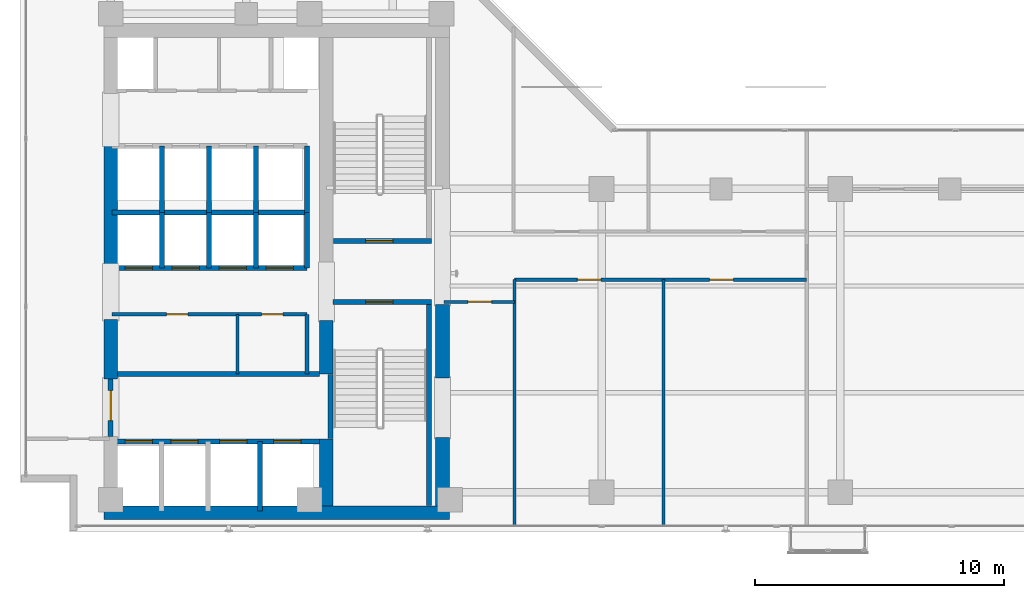
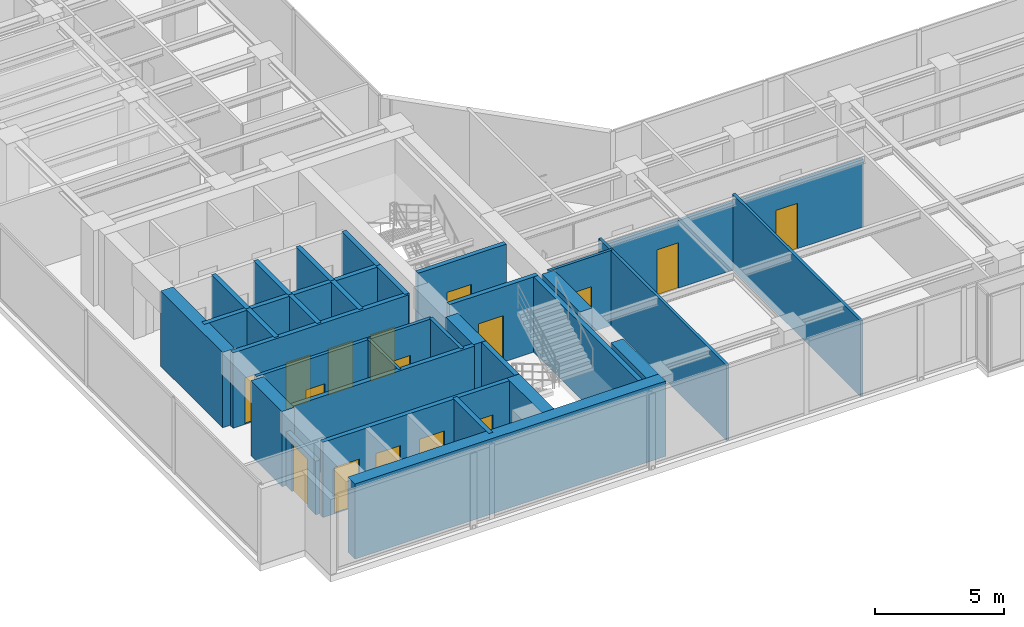
# One storey, part 17 of 25: 32 walls, 16 doors, 16 openings.
"""IFC4 building model written with IfcOpenShell, lengths in metres."""

from ifc_helpers import new_model, si_unit, direction, frame, frame_2d, origin, place, context, subcontext, project, spatial, rectangle, extrude, material, layer, layer_set, type_object, element, fill, save


model = new_model("IFC4")

# Units and contexts
model_context = context("Model", 3, precision=1e-05, world=origin(), true_north=direction((0.0, 1.0)))
body_context = subcontext(model_context, "Body", "Model", "MODEL_VIEW")
ifc_project = project(units=[si_unit("LENGTHUNIT", "METRE"), si_unit("AREAUNIT", "SQUARE_METRE"), si_unit("VOLUMEUNIT", "CUBIC_METRE"), si_unit("PLANEANGLEUNIT", "RADIAN"), si_unit("MASSUNIT", "GRAM", prefix="KILO")], contexts=[model_context])

# Site, building, storey
site_placement = place(None, origin())
site = spatial("IfcSite", under=ifc_project, at=site_placement, CompositionType="ELEMENT")
building_placement = place(site_placement, origin())
building = spatial("IfcBuilding", under=site, at=building_placement, Name="Kolvaren Waterfront Exchange", CompositionType="ELEMENT")
storey_placement = place(building_placement, frame((0.0, 0.0, 223.5)))
storey = spatial("IfcBuildingStorey", under=building, at=storey_placement, Name="L57", CompositionType="ELEMENT", Elevation=223.5)

# Wall, opening, door
ifc_material_1 = material(Name="Precast concrete C40/50", Category="concrete")
ifc_layer_1 = layer(ifc_material_1, 0.199951171875, Name="Precast concrete C40/50")
ifc_layer_set_1 = layer_set([ifc_layer_1], Name="Precast concrete C40/50")
wall_type_1 = type_object("IfcWallType", Name="ARC-FIRE-200", PredefinedType="PARTITIONING", material=ifc_layer_set_1)
wall_1_placement = place(storey_placement, frame((16.39990234375, 12.85009765625, 0.0), z_axis=(0.0, 0.0, 1.0), x_axis=(1.0, 0.0, 0.0)))
wall_1 = element("IfcWall", 1, at=wall_1_placement, inside=storey, type_object=wall_type_1, Name="L57 interior wall PW-L57-ST1-THROAT-S", PredefinedType="PARTITIONING", context=body_context, shape_type="SweptSolid", body=[
    extrude(rectangle(XDim=3.960205078125, YDim=0.199951171875, at=frame_2d((1.97998046875, 0.0))), origin(), (0.0, 0.0, 1.0), 3.56005859375),
])
opening_1_placement = place(wall_1_placement, frame((1.3037109375, 0.0, 0.0)))
opening_1 = element("IfcOpeningElement", 2, at=opening_1_placement, cuts=wall_1, Name="Opening FD2", PredefinedType="OPENING", context=body_context, shape_type="SweptSolid", body=[
    extrude(rectangle(XDim=1.10009765625, YDim=2.199951171875, at=frame_2d((0.550048828125, 1.10009765625))), frame((0.0, 0.10986328125, 0.0), z_axis=(0.0, -1.0, 0.0), x_axis=(1.0, 0.0, 0.0)), (0.0, 0.0, 1.0), 0.219970703125),
])
ifc_material_2 = material(Name="Pressed steel smoke-seal fire door", Category="steel")
door_type_1 = type_object("IfcDoorType", Name="ARC-FD-1100", OperationType="NOTDEFINED", PredefinedType="DOOR", material=ifc_material_2)
door_1_placement = place(opening_1_placement, frame((1.10009765625, 0.0, 0.0), z_axis=(0.0, 0.0, 1.0), x_axis=(-1.0, 0.0, 0.0)))
door_1 = element("IfcDoor", 3, at=door_1_placement, inside=storey, type_object=door_type_1, Name="L57 door DR-L57-ST1-IN (FD2)", OperationType="SINGLE_SWING_RIGHT", OverallHeight=2.199951171875, OverallWidth=1.10009765625, PredefinedType="DOOR", context=body_context, shape_type="SweptSolid", body=[
    extrude(rectangle(XDim=1.10009765625, YDim=2.199951171875, at=frame_2d((0.550048828125, 1.10009765625))), frame((0.0, 0.02490234375, 0.0), z_axis=(0.0, -1.0, 0.0), x_axis=(1.0, 0.0, 0.0)), (0.0, 0.0, 1.0), 0.050048828125),
])
fill(opening_1, door_1)

wall_2_placement = place(storey_placement, frame((16.409912109375, 15.300048828125, 0.0), z_axis=(0.0, 0.0, 1.0), x_axis=(1.0, 0.0, 0.0)))
wall_2 = element("IfcWall", 4, at=wall_2_placement, inside=storey, type_object=wall_type_1, Name="L57 interior wall PW-L57-ST2-THROAT-N", PredefinedType="PARTITIONING", context=body_context, shape_type="SweptSolid", body=[
    extrude(rectangle(XDim=3.9501953125, YDim=0.199951171875, at=frame_2d((1.97509765625, 0.0))), origin(), (0.0, 0.0, 1.0), 3.56005859375),
])
opening_2_placement = place(wall_2_placement, frame((1.293701171875, 0.0, 0.0)))
opening_2 = element("IfcOpeningElement", 5, at=opening_2_placement, cuts=wall_2, Name="Opening FD2", PredefinedType="OPENING", context=body_context, shape_type="SweptSolid", body=[
    extrude(rectangle(XDim=1.10009765625, YDim=2.199951171875, at=frame_2d((0.550048828125, 1.10009765625))), frame((0.0, 0.10986328125, 0.0), z_axis=(0.0, -1.0, 0.0), x_axis=(1.0, 0.0, 0.0)), (0.0, 0.0, 1.0), 0.219970703125),
])
door_2_placement = place(opening_2_placement, origin())
door_2 = element("IfcDoor", 6, at=door_2_placement, inside=storey, type_object=door_type_1, Name="L57 door DR-L57-ST2-IN (FD2)", OperationType="SINGLE_SWING_LEFT", OverallHeight=2.199951171875, OverallWidth=1.10009765625, PredefinedType="DOOR", context=body_context, shape_type="SweptSolid", body=[
    extrude(rectangle(XDim=1.10009765625, YDim=2.199951171875, at=frame_2d((0.550048828125, 1.10009765625))), frame((0.0, 0.02490234375, 0.0), z_axis=(0.0, -1.0, 0.0), x_axis=(1.0, 0.0, 0.0)), (0.0, 0.0, 1.0), 0.050048828125),
])
fill(opening_2, door_2)

# Wall
wall_3_placement = place(storey_placement, frame((7.5, 9.949951171875, 0.0), z_axis=(0.0, 0.0, 1.0), x_axis=(1.0, 0.0, 0.0)))
element("IfcWall", 7, at=wall_3_placement, inside=storey, type_object=wall_type_1, Name="L57 interior wall PW-L57-FF-N", PredefinedType="PARTITIONING", context=body_context, shape_type="SweptSolid", body=[
    extrude(rectangle(XDim=8.35009765625, YDim=0.199951171875, at=frame_2d((4.175048828125, 0.0))), origin(), (0.0, 0.0, 1.0), 3.56005859375),
])

# Wall, opening, door
wall_4_placement = place(storey_placement, frame((7.449951171875, 7.449951171875, 0.0), z_axis=(0.0, 0.0, 1.0), x_axis=(0.0, 1.0, 0.0)))
wall_4 = element("IfcWall", 8, at=wall_4_placement, inside=storey, type_object=wall_type_1, Name="L57 interior wall PW-L57-FF-W-DOOR", PredefinedType="PARTITIONING", context=body_context, shape_type="SweptSolid", body=[
    extrude(rectangle(XDim=2.300048828125, YDim=0.199951171875, at=frame_2d((1.14990234375, 0.0))), origin(), (0.0, 0.0, 1.0), 2.5400390625),
])
opening_3_placement = place(wall_4_placement, frame((0.63330078125, 0.0, 0.0)))
opening_3 = element("IfcOpeningElement", 9, at=opening_3_placement, cuts=wall_4, Name="Opening FD3", PredefinedType="OPENING", context=body_context, shape_type="SweptSolid", body=[
    extrude(rectangle(XDim=1.199951171875, YDim=2.25, at=frame_2d((0.60009765625, 1.125))), frame((0.0, 0.10986328125, 0.0), z_axis=(0.0, -1.0, 0.0), x_axis=(1.0, 0.0, 0.0)), (0.0, 0.0, 1.0), 0.219970703125),
])
ifc_material_3 = material(Name="Pressed steel fire door", Category="steel")
door_type_2 = type_object("IfcDoorType", Name="ARC-FD-1200", OperationType="NOTDEFINED", PredefinedType="DOOR", material=ifc_material_3)
door_3_placement = place(opening_3_placement, frame((1.199951171875, 0.0, 0.0), z_axis=(0.0, 0.0, 1.0), x_axis=(-1.0, 0.0, 0.0)))
door_3 = element("IfcDoor", 10, at=door_3_placement, inside=storey, type_object=door_type_2, Name="L57 door DR-L57-FF-OUT (FD3)", OperationType="SINGLE_SWING_RIGHT", OverallHeight=2.25, OverallWidth=1.199951171875, PredefinedType="DOOR", context=body_context, shape_type="SweptSolid", body=[
    extrude(rectangle(XDim=1.199951171875, YDim=2.25, at=frame_2d((0.60009765625, 1.125))), frame((0.0, 0.02490234375, 0.0), z_axis=(0.0, -1.0, 0.0), x_axis=(1.0, 0.0, 0.0)), (0.0, 0.0, 1.0), 0.050048828125),
])
fill(opening_3, door_3)

# Wall
ifc_material_4 = material(Name="Acoustic gypsum steel stud", Category="steel")
ifc_layer_2 = layer(ifc_material_4, 0.125, Name="Acoustic gypsum steel stud")
ifc_layer_set_2 = layer_set([ifc_layer_2], Name="Acoustic gypsum steel stud")
wall_type_2 = type_object("IfcWallType", Name="ARC-PART-125", PredefinedType="PARTITIONING", material=ifc_layer_set_2)
wall_5_placement = place(storey_placement, frame((12.550048828125, 9.949951171875, 0.0), z_axis=(0.0, 0.0, 1.0), x_axis=(0.0, 1.0, 0.0)))
element("IfcWall", 11, at=wall_5_placement, inside=storey, type_object=wall_type_2, Name="L57 interior wall PW-L57-REC-PL-MID", PredefinedType="PARTITIONING", context=body_context, shape_type="SweptSolid", body=[
    extrude(rectangle(XDim=2.41015625, YDim=0.125, at=frame_2d((1.205078125, 0.0))), origin(), (0.0, 0.0, 1.0), 3.56005859375),
])

# Wall, opening, door
wall_6_placement = place(storey_placement, frame((20.85009765625, 12.860107421875, 0.0), z_axis=(0.0, 0.0, 1.0), x_axis=(1.0, 0.0, 0.0)))
wall_6 = element("IfcWall", 12, at=wall_6_placement, inside=storey, type_object=wall_type_2, Name="L57 interior wall PW-L57-SWST3-N", PredefinedType="PARTITIONING", context=body_context, shape_type="SweptSolid", body=[
    extrude(rectangle(XDim=2.849853515625, YDim=0.125, at=frame_2d((1.4248046875, 0.0))), origin(), (0.0, 0.0, 1.0), 3.56005859375),
])
opening_4_placement = place(wall_6_placement, frame((0.971435546875, 0.0, 0.0)))
opening_4 = element("IfcOpeningElement", 13, at=opening_4_placement, cuts=wall_6, Name="Opening D02", PredefinedType="OPENING", context=body_context, shape_type="SweptSolid", body=[
    extrude(rectangle(XDim=0.949951171875, YDim=2.14990234375, at=frame_2d((0.47509765625, 1.074951171875))), frame((0.0, 0.072509765625, 0.0), z_axis=(0.0, -1.0, 0.0), x_axis=(1.0, 0.0, 0.0)), (0.0, 0.0, 1.0), 0.14501953125),
])
ifc_material_5 = material(Name="Oak veneer acoustic timber", Category="wood")
door_type_3 = type_object("IfcDoorType", Name="ARC-DR-950", OperationType="NOTDEFINED", PredefinedType="DOOR", material=ifc_material_5)
door_4_placement = place(opening_4_placement, origin())
door_4 = element("IfcDoor", 14, at=door_4_placement, inside=storey, type_object=door_type_3, Name="L57 door DR-L57-SWST3-D (D02)", OperationType="SINGLE_SWING_LEFT", OverallHeight=2.14990234375, OverallWidth=0.949951171875, PredefinedType="DOOR", context=body_context, shape_type="SweptSolid", body=[
    extrude(rectangle(XDim=0.949951171875, YDim=2.14990234375, at=frame_2d((0.47509765625, 1.074951171875))), frame((0.0, 0.02490234375, 0.0), z_axis=(0.0, -1.0, 0.0), x_axis=(1.0, 0.0, 0.0)), (0.0, 0.0, 1.0), 0.050048828125),
])
fill(opening_4, door_4)

# Wall
wall_7_placement = place(storey_placement, frame((23.699951171875, 3.840087890625, 0.0), z_axis=(0.0, 0.0, 1.0), x_axis=(0.0, 1.0, 0.0)))
element("IfcWall", 15, at=wall_7_placement, inside=storey, type_object=wall_type_2, Name="L57 interior wall PW-L57-ES-W0", PredefinedType="PARTITIONING", context=body_context, shape_type="SweptSolid", body=[
    extrude(rectangle(XDim=9.909912109375, YDim=0.125, at=frame_2d((4.955078125, 0.0))), origin(), (0.0, 0.0, 1.0), 3.56005859375),
])

# Wall, openings, doors
wall_8_placement = place(storey_placement, frame((23.699951171875, 13.75, 0.0), z_axis=(0.0, 0.0, 1.0), x_axis=(1.0, 0.0, 0.0)))
wall_8 = element("IfcWall", 16, at=wall_8_placement, inside=storey, type_object=wall_type_2, Name="L57 interior wall PW-L57-ES-CORR", PredefinedType="PARTITIONING", context=body_context, shape_type="SweptSolid", body=[
    extrude(rectangle(XDim=11.75, YDim=0.125, at=frame_2d((5.875, 0.0))), origin(), (0.0, 0.0, 1.0), 3.199951171875),
])
opening_5_placement = place(wall_8_placement, frame((2.52001953125, 0.0, 0.0)))
opening_5 = element("IfcOpeningElement", 17, at=opening_5_placement, cuts=wall_8, Name="Opening D02", PredefinedType="OPENING", context=body_context, shape_type="SweptSolid", body=[
    extrude(rectangle(XDim=0.949951171875, YDim=2.14990234375, at=frame_2d((0.47509765625, 1.074951171875))), frame((0.0, 0.072509765625, 0.0), z_axis=(0.0, -1.0, 0.0), x_axis=(1.0, 0.0, 0.0)), (0.0, 0.0, 1.0), 0.14501953125),
])
opening_6_placement = place(wall_8_placement, frame((7.84716796875, 0.0, 0.0)))
opening_6 = element("IfcOpeningElement", 18, at=opening_6_placement, cuts=wall_8, Name="Opening D02", PredefinedType="OPENING", context=body_context, shape_type="SweptSolid", body=[
    extrude(rectangle(XDim=0.949951171875, YDim=2.14990234375, at=frame_2d((0.47509765625, 1.074951171875))), frame((0.0, 0.072509765625, 0.0), z_axis=(0.0, -1.0, 0.0), x_axis=(1.0, 0.0, 0.0)), (0.0, 0.0, 1.0), 0.14501953125),
])
door_5_placement = place(opening_5_placement, origin())
door_5 = element("IfcDoor", 19, at=door_5_placement, inside=storey, type_object=door_type_3, Name="L57 door DR-L57-ES-D-1 (D02)", OperationType="SINGLE_SWING_RIGHT", OverallHeight=2.14990234375, OverallWidth=0.949951171875, PredefinedType="DOOR", context=body_context, shape_type="SweptSolid", body=[
    extrude(rectangle(XDim=0.949951171875, YDim=2.14990234375, at=frame_2d((0.47509765625, 1.074951171875))), frame((0.0, 0.02490234375, 0.0), z_axis=(0.0, -1.0, 0.0), x_axis=(1.0, 0.0, 0.0)), (0.0, 0.0, 1.0), 0.050048828125),
])
fill(opening_5, door_5)
door_6_placement = place(opening_6_placement, origin())
door_6 = element("IfcDoor", 20, at=door_6_placement, inside=storey, type_object=door_type_3, Name="L57 door DR-L57-ES-D-2 (D02)", OperationType="SINGLE_SWING_LEFT", OverallHeight=2.14990234375, OverallWidth=0.949951171875, PredefinedType="DOOR", context=body_context, shape_type="SweptSolid", body=[
    extrude(rectangle(XDim=0.949951171875, YDim=2.14990234375, at=frame_2d((0.47509765625, 1.074951171875))), frame((0.0, 0.02490234375, 0.0), z_axis=(0.0, -1.0, 0.0), x_axis=(1.0, 0.0, 0.0)), (0.0, 0.0, 1.0), 0.050048828125),
])
fill(opening_6, door_6)

# Wall
wall_9_placement = place(storey_placement, frame((29.68994140625, 3.840087890625, 0.0), z_axis=(0.0, 0.0, 1.0), x_axis=(0.0, 1.0, 0.0)))
element("IfcWall", 21, at=wall_9_placement, inside=storey, type_object=wall_type_2, Name="L57 interior wall PW-L57-ES-DIV-1", PredefinedType="PARTITIONING", context=body_context, shape_type="SweptSolid", body=[
    extrude(rectangle(XDim=9.909912109375, YDim=0.125, at=frame_2d((4.955078125, 0.0))), origin(), (0.0, 0.0, 1.0), 3.56005859375),
])

# Wall, openings, doors
ifc_material_6 = material(Name="Gypsum fireboard steel stud", Category="steel")
ifc_layer_3 = layer(ifc_material_6, 0.14990234375, Name="Gypsum fireboard steel stud")
ifc_layer_set_3 = layer_set([ifc_layer_3], Name="Gypsum fireboard steel stud")
wall_type_3 = type_object("IfcWallType", Name="ARC-PART-150", PredefinedType="PARTITIONING", material=ifc_layer_set_3)
wall_10_placement = place(storey_placement, frame((7.5, 12.360107421875, 0.0), z_axis=(0.0, 0.0, 1.0), x_axis=(1.0, 0.0, 0.0)))
wall_10 = element("IfcWall", 22, at=wall_10_placement, inside=storey, type_object=wall_type_3, Name="L57 interior wall PW-L57-REC-PL-N", PredefinedType="PARTITIONING", context=body_context, shape_type="SweptSolid", body=[
    extrude(rectangle(XDim=7.85009765625, YDim=0.14990234375, at=frame_2d((3.925048828125, 0.0))), origin(), (0.0, 0.0, 1.0), 3.56005859375),
])
opening_7_placement = place(wall_10_placement, frame((2.202392578125, 0.0, 0.0)))
opening_7 = element("IfcOpeningElement", 23, at=opening_7_placement, cuts=wall_10, Name="Opening D01", PredefinedType="OPENING", context=body_context, shape_type="SweptSolid", body=[
    extrude(rectangle(XDim=0.85009765625, YDim=2.14990234375, at=frame_2d((0.425048828125, 1.074951171875))), frame((0.0, 0.0849609375, 0.0), z_axis=(0.0, -1.0, 0.0), x_axis=(1.0, 0.0, 0.0)), (0.0, 0.0, 1.0), 0.169921875),
])
opening_8_placement = place(wall_10_placement, frame((6.02490234375, 0.0, 0.0)))
opening_8 = element("IfcOpeningElement", 24, at=opening_8_placement, cuts=wall_10, Name="Opening D01", PredefinedType="OPENING", context=body_context, shape_type="SweptSolid", body=[
    extrude(rectangle(XDim=0.85009765625, YDim=2.14990234375, at=frame_2d((0.425048828125, 1.074951171875))), frame((0.0, 0.0849609375, 0.0), z_axis=(0.0, -1.0, 0.0), x_axis=(1.0, 0.0, 0.0)), (0.0, 0.0, 1.0), 0.169921875),
])
ifc_material_7 = material(Name="Oak veneer timber leaf", Category="wood")
door_type_4 = type_object("IfcDoorType", Name="ARC-DR-900", OperationType="NOTDEFINED", PredefinedType="DOOR", material=ifc_material_7)
door_7_placement = place(opening_7_placement, origin())
door_7 = element("IfcDoor", 25, at=door_7_placement, inside=storey, type_object=door_type_4, Name="L57 door DR-L57-REC-PL-D1 (D01)", OperationType="SINGLE_SWING_LEFT", OverallHeight=2.14990234375, OverallWidth=0.85009765625, PredefinedType="DOOR", context=body_context, shape_type="SweptSolid", body=[
    extrude(rectangle(XDim=0.85009765625, YDim=2.14990234375, at=frame_2d((0.425048828125, 1.074951171875))), frame((0.0, 0.02490234375, 0.0), z_axis=(0.0, -1.0, 0.0), x_axis=(1.0, 0.0, 0.0)), (0.0, 0.0, 1.0), 0.050048828125),
])
fill(opening_7, door_7)
door_8_placement = place(opening_8_placement, origin())
door_8 = element("IfcDoor", 26, at=door_8_placement, inside=storey, type_object=door_type_4, Name="L57 door DR-L57-REC-PL-D2 (D01)", OperationType="SINGLE_SWING_RIGHT", OverallHeight=2.14990234375, OverallWidth=0.85009765625, PredefinedType="DOOR", context=body_context, shape_type="SweptSolid", body=[
    extrude(rectangle(XDim=0.85009765625, YDim=2.14990234375, at=frame_2d((0.425048828125, 1.074951171875))), frame((0.0, 0.02490234375, 0.0), z_axis=(0.0, -1.0, 0.0), x_axis=(1.0, 0.0, 0.0)), (0.0, 0.0, 1.0), 0.050048828125),
])
fill(opening_8, door_8)

# Walls
wall_11_placement = place(storey_placement, frame((15.35009765625, 9.949951171875, 0.0), z_axis=(0.0, 0.0, 1.0), x_axis=(0.0, 1.0, 0.0)))
element("IfcWall", 27, at=wall_11_placement, inside=storey, type_object=wall_type_3, Name="L57 interior wall PW-L57-REC-PL-E", PredefinedType="PARTITIONING", context=body_context, shape_type="SweptSolid", body=[
    extrude(rectangle(XDim=2.41015625, YDim=0.14990234375, at=frame_2d((1.205078125, 0.0))), origin(), (0.0, 0.0, 1.0), 3.56005859375),
])
ifc_material_8 = material(Name="Concrete C40/50", Category="concrete")
ifc_layer_4 = layer(ifc_material_8, 0.199951171875, Name="Concrete C40/50")
ifc_layer_set_4 = layer_set([ifc_layer_4], Name="Concrete C40/50")
wall_type_4 = type_object("IfcWallType", Name="ARC-SHAFT-200", PredefinedType="PARTITIONING", material=ifc_layer_set_4)
wall_12_placement = place(storey_placement, frame((16.300048828125, 7.360107421875, 0.0), z_axis=(0.0, 0.0, 1.0), x_axis=(0.0, 1.0, 0.0)))
element("IfcWall", 28, at=wall_12_placement, inside=storey, type_object=wall_type_4, Name="L57 structural stairwell wall PW-L57-ST1-W", PredefinedType="SHEAR", context=body_context, shape_type="SweptSolid", body=[
    extrude(rectangle(XDim=2.579833984375, YDim=0.199951171875, at=frame_2d((1.2900390625, 0.0))), origin(), (0.0, 0.0, 1.0), 3.56005859375),
])
wall_13_placement = place(storey_placement, frame((20.260009765625, 4.659912109375, 0.0), z_axis=(0.0, 0.0, 1.0), x_axis=(0.0, 1.0, 0.0)))
element("IfcWall", 29, at=wall_13_placement, inside=storey, type_object=wall_type_4, Name="L57 structural stairwell wall PW-L57-ST1-E", PredefinedType="SHEAR", context=body_context, shape_type="SweptSolid", body=[
    extrude(rectangle(XDim=8.090087890625, YDim=0.199951171875, at=frame_2d((4.044921875, 0.0))), origin(), (0.0, 0.0, 1.0), 3.56005859375),
])

# Wall, openings, doors
wall_14_placement = place(storey_placement, frame((7.5, 7.25, 0.0), z_axis=(0.0, 0.0, 1.0), x_axis=(1.0, 0.0, 0.0)))
wall_14 = element("IfcWall", 30, at=wall_14_placement, inside=storey, type_object=wall_type_4, Name="L57 interior wall PW-L57-FF-S", PredefinedType="PARTITIONING", context=body_context, shape_type="SweptSolid", body=[
    extrude(rectangle(XDim=8.35009765625, YDim=0.199951171875, at=frame_2d((4.175048828125, 0.0))), origin(), (0.0, 0.0, 1.0), 3.56005859375),
])
opening_9_placement = place(wall_14_placement, frame((0.530029296875, 0.0, 0.0)))
opening_9 = element("IfcOpeningElement", 31, at=opening_9_placement, cuts=wall_14, Name="Opening LD1", PredefinedType="OPENING", context=body_context, shape_type="SweptSolid", body=[
    extrude(rectangle(XDim=1.10009765625, YDim=2.199951171875, at=frame_2d((0.550048828125, 1.10009765625))), frame((0.0, 0.10986328125, 0.0), z_axis=(0.0, -1.0, 0.0), x_axis=(1.0, 0.0, 0.0)), (0.0, 0.0, 1.0), 0.219970703125),
])
opening_10_placement = place(wall_14_placement, frame((2.3701171875, 0.0, 0.0)))
opening_10 = element("IfcOpeningElement", 32, at=opening_10_placement, cuts=wall_14, Name="Opening LD1", PredefinedType="OPENING", context=body_context, shape_type="SweptSolid", body=[
    extrude(rectangle(XDim=1.10009765625, YDim=2.199951171875, at=frame_2d((0.550048828125, 1.10009765625))), frame((0.0, 0.10986328125, 0.0), z_axis=(0.0, -1.0, 0.0), x_axis=(1.0, 0.0, 0.0)), (0.0, 0.0, 1.0), 0.219970703125),
])
opening_11_placement = place(wall_14_placement, frame((4.330078125, 0.0, 0.0)))
opening_11 = element("IfcOpeningElement", 33, at=opening_11_placement, cuts=wall_14, Name="Opening LD1", PredefinedType="OPENING", context=body_context, shape_type="SweptSolid", body=[
    extrude(rectangle(XDim=1.10009765625, YDim=2.199951171875, at=frame_2d((0.550048828125, 1.10009765625))), frame((0.0, 0.10986328125, 0.0), z_axis=(0.0, -1.0, 0.0), x_axis=(1.0, 0.0, 0.0)), (0.0, 0.0, 1.0), 0.219970703125),
])
opening_12_placement = place(wall_14_placement, frame((6.5, 0.0, 0.0)))
opening_12 = element("IfcOpeningElement", 34, at=opening_12_placement, cuts=wall_14, Name="Opening LD1", PredefinedType="OPENING", context=body_context, shape_type="SweptSolid", body=[
    extrude(rectangle(XDim=1.10009765625, YDim=2.199951171875, at=frame_2d((0.550048828125, 1.10009765625))), frame((0.0, 0.10986328125, 0.0), z_axis=(0.0, -1.0, 0.0), x_axis=(1.0, 0.0, 0.0)), (0.0, 0.0, 1.0), 0.219970703125),
])
ifc_material_9 = material(Name="Stainless steel sliding landing door", Category="steel")
door_type_5 = type_object("IfcDoorType", Name="ARC-LD-FF", OperationType="SLIDING_TO_LEFT", PredefinedType="DOOR", material=ifc_material_9)
door_9_placement = place(opening_9_placement, origin())
door_9 = element("IfcDoor", 35, at=door_9_placement, inside=storey, type_object=door_type_5, Name="L57 door LD-L57-FFL1 (LD1)", OperationType="SLIDING_TO_LEFT", OverallHeight=2.199951171875, OverallWidth=1.10009765625, PredefinedType="DOOR", context=body_context, shape_type="SweptSolid", body=[
    extrude(rectangle(XDim=1.10009765625, YDim=2.199951171875, at=frame_2d((0.550048828125, 1.10009765625))), frame((0.0, 0.02490234375, 0.0), z_axis=(0.0, -1.0, 0.0), x_axis=(1.0, 0.0, 0.0)), (0.0, 0.0, 1.0), 0.050048828125),
])
fill(opening_9, door_9)
door_10_placement = place(opening_10_placement, origin())
door_10 = element("IfcDoor", 36, at=door_10_placement, inside=storey, type_object=door_type_5, Name="L57 door LD-L57-FFL2 (LD1)", OperationType="SLIDING_TO_LEFT", OverallHeight=2.199951171875, OverallWidth=1.10009765625, PredefinedType="DOOR", context=body_context, shape_type="SweptSolid", body=[
    extrude(rectangle(XDim=1.10009765625, YDim=2.199951171875, at=frame_2d((0.550048828125, 1.10009765625))), frame((0.0, 0.02490234375, 0.0), z_axis=(0.0, -1.0, 0.0), x_axis=(1.0, 0.0, 0.0)), (0.0, 0.0, 1.0), 0.050048828125),
])
fill(opening_10, door_10)
door_11_placement = place(opening_11_placement, origin())
door_11 = element("IfcDoor", 37, at=door_11_placement, inside=storey, type_object=door_type_5, Name="L57 door LD-L57-GL1 (LD1)", OperationType="SLIDING_TO_LEFT", OverallHeight=2.199951171875, OverallWidth=1.10009765625, PredefinedType="DOOR", context=body_context, shape_type="SweptSolid", body=[
    extrude(rectangle(XDim=1.10009765625, YDim=2.199951171875, at=frame_2d((0.550048828125, 1.10009765625))), frame((0.0, 0.02490234375, 0.0), z_axis=(0.0, -1.0, 0.0), x_axis=(1.0, 0.0, 0.0)), (0.0, 0.0, 1.0), 0.050048828125),
])
fill(opening_11, door_11)
door_12_placement = place(opening_12_placement, origin())
door_12 = element("IfcDoor", 38, at=door_12_placement, inside=storey, type_object=door_type_5, Name="L57 door LD-L57-GL2 (LD1)", OperationType="SLIDING_TO_LEFT", OverallHeight=2.199951171875, OverallWidth=1.10009765625, PredefinedType="DOOR", context=body_context, shape_type="SweptSolid", body=[
    extrude(rectangle(XDim=1.10009765625, YDim=2.199951171875, at=frame_2d((0.550048828125, 1.10009765625))), frame((0.0, 0.02490234375, 0.0), z_axis=(0.0, -1.0, 0.0), x_axis=(1.0, 0.0, 0.0)), (0.0, 0.0, 1.0), 0.050048828125),
])
fill(opening_12, door_12)

# Wall
wall_15_placement = place(storey_placement, frame((13.4599609375, 4.449951171875, 0.0), z_axis=(0.0, 0.0, 1.0), x_axis=(0.0, 1.0, 0.0)))
element("IfcWall", 39, at=wall_15_placement, inside=storey, type_object=wall_type_4, Name="L57 interior wall PW-L57-SH1-DIV-134", PredefinedType="PARTITIONING", context=body_context, shape_type="SweptSolid", body=[
    extrude(rectangle(XDim=2.800048828125, YDim=0.199951171875, at=frame_2d((1.39990234375, 0.0))), origin(), (0.0, 0.0, 1.0), 3.56005859375),
])

# Wall, openings, doors
wall_16_placement = place(storey_placement, frame((7.5, 14.219970703125, 0.0), z_axis=(0.0, 0.0, 1.0), x_axis=(1.0, 0.0, 0.0)))
wall_16 = element("IfcWall", 40, at=wall_16_placement, inside=storey, type_object=wall_type_4, Name="L57 interior wall PW-L57-PM-S", PredefinedType="PARTITIONING", context=body_context, shape_type="SweptSolid", body=[
    extrude(rectangle(XDim=7.85009765625, YDim=0.199951171875, at=frame_2d((3.925048828125, 0.0))), origin(), (0.0, 0.0, 1.0), 3.56005859375),
])
opening_13_placement = place(wall_16_placement, frame((0.530029296875, 0.0, 0.0)))
opening_13 = element("IfcOpeningElement", 41, at=opening_13_placement, cuts=wall_16, Name="Opening LD2", PredefinedType="OPENING", context=body_context, shape_type="SweptSolid", body=[
    extrude(rectangle(XDim=1.10009765625, YDim=2.199951171875, at=frame_2d((0.550048828125, 1.10009765625))), frame((0.0, 0.10986328125, 0.0), z_axis=(0.0, -1.0, 0.0), x_axis=(1.0, 0.0, 0.0)), (0.0, 0.0, 1.0), 0.219970703125),
])
opening_14_placement = place(wall_16_placement, frame((2.419921875, 0.0, 0.0)))
opening_14 = element("IfcOpeningElement", 42, at=opening_14_placement, cuts=wall_16, Name="Opening LD2", PredefinedType="OPENING", context=body_context, shape_type="SweptSolid", body=[
    extrude(rectangle(XDim=1.10009765625, YDim=2.199951171875, at=frame_2d((0.550048828125, 1.10009765625))), frame((0.0, 0.10986328125, 0.0), z_axis=(0.0, -1.0, 0.0), x_axis=(1.0, 0.0, 0.0)), (0.0, 0.0, 1.0), 0.219970703125),
])
opening_15_placement = place(wall_16_placement, frame((4.31005859375, 0.0, 0.0)))
opening_15 = element("IfcOpeningElement", 43, at=opening_15_placement, cuts=wall_16, Name="Opening LD2", PredefinedType="OPENING", context=body_context, shape_type="SweptSolid", body=[
    extrude(rectangle(XDim=1.10009765625, YDim=2.199951171875, at=frame_2d((0.550048828125, 1.10009765625))), frame((0.0, 0.10986328125, 0.0), z_axis=(0.0, -1.0, 0.0), x_axis=(1.0, 0.0, 0.0)), (0.0, 0.0, 1.0), 0.219970703125),
])
opening_16_placement = place(wall_16_placement, frame((6.199951171875, 0.0, 0.0)))
opening_16 = element("IfcOpeningElement", 44, at=opening_16_placement, cuts=wall_16, Name="Opening LD2", PredefinedType="OPENING", context=body_context, shape_type="SweptSolid", body=[
    extrude(rectangle(XDim=1.10009765625, YDim=2.199951171875, at=frame_2d((0.550048828125, 1.10009765625))), frame((0.0, 0.10986328125, 0.0), z_axis=(0.0, -1.0, 0.0), x_axis=(1.0, 0.0, 0.0)), (0.0, 0.0, 1.0), 0.219970703125),
])
ifc_material_10 = material(Name="Brushed bronze sliding landing door", Category="aluminium")
door_type_6 = type_object("IfcDoorType", Name="ARC-LD-PAX", OperationType="SLIDING_TO_LEFT", PredefinedType="DOOR", material=ifc_material_10)
door_13_placement = place(opening_13_placement, frame((1.10009765625, 0.0, 0.0), z_axis=(0.0, 0.0, 1.0), x_axis=(-1.0, 0.0, 0.0)))
door_13 = element("IfcDoor", 45, at=door_13_placement, inside=storey, type_object=door_type_6, Name="L57 door LD-L57-PM1 (LD2)", OperationType="SLIDING_TO_LEFT", OverallHeight=2.199951171875, OverallWidth=1.10009765625, PredefinedType="DOOR", context=body_context, shape_type="SweptSolid", body=[
    extrude(rectangle(XDim=1.10009765625, YDim=2.199951171875, at=frame_2d((0.550048828125, 1.10009765625))), frame((0.0, 0.02490234375, 0.0), z_axis=(0.0, -1.0, 0.0), x_axis=(1.0, 0.0, 0.0)), (0.0, 0.0, 1.0), 0.050048828125),
])
fill(opening_13, door_13)
door_14_placement = place(opening_14_placement, frame((1.10009765625, 0.0, 0.0), z_axis=(0.0, 0.0, 1.0), x_axis=(-1.0, 0.0, 0.0)))
door_14 = element("IfcDoor", 46, at=door_14_placement, inside=storey, type_object=door_type_6, Name="L57 door LD-L57-PM2 (LD2)", OperationType="SLIDING_TO_LEFT", OverallHeight=2.199951171875, OverallWidth=1.10009765625, PredefinedType="DOOR", context=body_context, shape_type="SweptSolid", body=[
    extrude(rectangle(XDim=1.10009765625, YDim=2.199951171875, at=frame_2d((0.550048828125, 1.10009765625))), frame((0.0, 0.02490234375, 0.0), z_axis=(0.0, -1.0, 0.0), x_axis=(1.0, 0.0, 0.0)), (0.0, 0.0, 1.0), 0.050048828125),
])
fill(opening_14, door_14)
door_15_placement = place(opening_15_placement, frame((1.10009765625, 0.0, 0.0), z_axis=(0.0, 0.0, 1.0), x_axis=(-1.0, 0.0, 0.0)))
door_15 = element("IfcDoor", 47, at=door_15_placement, inside=storey, type_object=door_type_6, Name="L57 door LD-L57-PM3 (LD2)", OperationType="SLIDING_TO_LEFT", OverallHeight=2.199951171875, OverallWidth=1.10009765625, PredefinedType="DOOR", context=body_context, shape_type="SweptSolid", body=[
    extrude(rectangle(XDim=1.10009765625, YDim=2.199951171875, at=frame_2d((0.550048828125, 1.10009765625))), frame((0.0, 0.02490234375, 0.0), z_axis=(0.0, -1.0, 0.0), x_axis=(1.0, 0.0, 0.0)), (0.0, 0.0, 1.0), 0.050048828125),
])
fill(opening_15, door_15)
door_16_placement = place(opening_16_placement, frame((1.10009765625, 0.0, 0.0), z_axis=(0.0, 0.0, 1.0), x_axis=(-1.0, 0.0, 0.0)))
door_16 = element("IfcDoor", 48, at=door_16_placement, inside=storey, type_object=door_type_6, Name="L57 door LD-L57-PM4 (LD2)", OperationType="SLIDING_TO_LEFT", OverallHeight=2.199951171875, OverallWidth=1.10009765625, PredefinedType="DOOR", context=body_context, shape_type="SweptSolid", body=[
    extrude(rectangle(XDim=1.10009765625, YDim=2.199951171875, at=frame_2d((0.550048828125, 1.10009765625))), frame((0.0, 0.02490234375, 0.0), z_axis=(0.0, -1.0, 0.0), x_axis=(1.0, 0.0, 0.0)), (0.0, 0.0, 1.0), 0.050048828125),
])
fill(opening_16, door_16)

# Walls
wall_17_placement = place(storey_placement, frame((7.5, 16.449951171875, 0.0), z_axis=(0.0, 0.0, 1.0), x_axis=(1.0, 0.0, 0.0)))
element("IfcWall", 49, at=wall_17_placement, inside=storey, type_object=wall_type_4, Name="L57 interior wall PW-L57-PM-N", PredefinedType="PARTITIONING", context=body_context, shape_type="SweptSolid", body=[
    extrude(rectangle(XDim=7.85009765625, YDim=0.199951171875, at=frame_2d((3.925048828125, 0.0))), origin(), (0.0, 0.0, 1.0), 3.56005859375),
])
for number, where, z_axis, x_axis, name in (
    (50, (15.35009765625, 14.219970703125, 0.0), (0.0, 0.0, 1.0), (0.0, 1.0, 0.0), "L57 interior wall PW-L57-PM-E"),
    (51, (9.52001953125, 14.219970703125, 0.0), (0.0, 0.0, 1.0), (0.0, 1.0, 0.0), "L57 interior wall PW-L57-SH3-DIV-95"),
    (52, (11.409912109375, 14.219970703125, 0.0), (0.0, 0.0, 1.0), (0.0, 1.0, 0.0), "L57 interior wall PW-L57-SH3-DIV-114"),
    (53, (13.300048828125, 14.219970703125, 0.0), (0.0, 0.0, 1.0), (0.0, 1.0, 0.0), "L57 interior wall PW-L57-SH3-DIV-133"),
):
    element("IfcWall", number, at=place(storey_placement, frame(where, z_axis=z_axis, x_axis=x_axis)), inside=storey, type_object=wall_type_4, Name=name, PredefinedType="PARTITIONING", context=body_context, shape_type="SweptSolid", body=[
        extrude(rectangle(XDim=2.22998046875, YDim=0.199951171875, at=frame_2d((1.114990234375, 0.0))), origin(), (0.0, 0.0, 1.0), 3.56005859375),
    ])
for number, where, z_axis, x_axis, name in (
    (54, (15.35009765625, 16.449951171875, 0.0), (0.0, 0.0, 1.0), (0.0, 1.0, 0.0), "L57 interior wall PW-L57-PH-E"),
    (55, (9.52001953125, 16.449951171875, 0.0), (0.0, 0.0, 1.0), (0.0, 1.0, 0.0), "L57 interior wall PW-L57-SH4-DIV-95"),
    (56, (11.409912109375, 16.449951171875, 0.0), (0.0, 0.0, 1.0), (0.0, 1.0, 0.0), "L57 interior wall PW-L57-SH4-DIV-114"),
    (57, (13.300048828125, 16.449951171875, 0.0), (0.0, 0.0, 1.0), (0.0, 1.0, 0.0), "L57 interior wall PW-L57-SH4-DIV-133"),
):
    element("IfcWall", number, at=place(storey_placement, frame(where, z_axis=z_axis, x_axis=x_axis)), inside=storey, type_object=wall_type_4, Name=name, PredefinedType="PARTITIONING", context=body_context, shape_type="SweptSolid", body=[
        extrude(rectangle(XDim=2.670166015625, YDim=0.199951171875, at=frame_2d((1.3349609375, 0.0))), origin(), (0.0, 0.0, 1.0), 3.56005859375),
    ])
ifc_material_11 = material(Name="Concrete C50/60", Category="concrete")
ifc_layer_5 = layer(ifc_material_11, 0.550048828125, Name="Concrete C50/60")
ifc_layer_set_5 = layer_set([ifc_layer_5], Name="Concrete C50/60")
wall_type_5 = type_object("IfcWallType", Name="STR-CWALL-550", PredefinedType="SHEAR", material=ifc_layer_set_5)
wall_18_placement = place(storey_placement, frame((7.175048828125, 4.375, 0.0), z_axis=(0.0, 0.0, 1.0), x_axis=(1.0, 0.0, 0.0)))
element("IfcWall", 58, at=wall_18_placement, inside=storey, type_object=wall_type_5, Name="L57 rear-core shear wall S", PredefinedType="SHEAR", context=body_context, shape_type="SweptSolid", body=[
    extrude(rectangle(XDim=13.89990234375, YDim=0.550048828125, at=frame_2d((6.949951171875, 0.0))), origin(), (0.0, 0.0, 1.0), 3.56005859375),
])
wall_19_placement = place(storey_placement, frame((7.449951171875, 9.75, 0.0), z_axis=(0.0, 0.0, 1.0), x_axis=(0.0, 1.0, 0.0)))
element("IfcWall", 59, at=wall_19_placement, inside=storey, type_object=wall_type_5, Name="L57 rear-core shear wall W2A", PredefinedType="SHEAR", context=body_context, shape_type="SweptSolid", body=[
    extrude(rectangle(XDim=2.39990234375, YDim=0.550048828125, at=frame_2d((1.199951171875, 0.0))), origin(), (0.0, 0.0, 1.0), 3.56005859375),
])
wall_20_placement = place(storey_placement, frame((7.449951171875, 14.35009765625, 0.0), z_axis=(0.0, 0.0, 1.0), x_axis=(0.0, 1.0, 0.0)))
element("IfcWall", 60, at=wall_20_placement, inside=storey, type_object=wall_type_5, Name="L57 rear-core shear wall W2B", PredefinedType="SHEAR", context=body_context, shape_type="SweptSolid", body=[
    extrude(rectangle(XDim=4.809814453125, YDim=0.550048828125, at=frame_2d((2.40478515625, 0.0))), origin(), (0.0, 0.0, 1.0), 3.56005859375),
])
wall_21_placement = place(storey_placement, frame((20.800048828125, 4.64990234375, 0.0), z_axis=(0.0, 0.0, 1.0), x_axis=(0.0, 1.0, 0.0)))
element("IfcWall", 61, at=wall_21_placement, inside=storey, type_object=wall_type_5, Name="L57 rear-core shear wall E1", PredefinedType="SHEAR", context=body_context, shape_type="SweptSolid", body=[
    extrude(rectangle(XDim=2.75, YDim=0.550048828125, at=frame_2d((1.375, 0.0))), origin(), (0.0, 0.0, 1.0), 3.56005859375),
])
wall_22_placement = place(storey_placement, frame((20.800048828125, 9.800048828125, 0.0), z_axis=(0.0, 0.0, 1.0), x_axis=(0.0, 1.0, 0.0)))
element("IfcWall", 62, at=wall_22_placement, inside=storey, type_object=wall_type_5, Name="L57 rear-core shear wall E2", PredefinedType="SHEAR", context=body_context, shape_type="SweptSolid", body=[
    extrude(rectangle(XDim=2.949951171875, YDim=0.550048828125, at=frame_2d((1.47509765625, 0.0))), origin(), (0.0, 0.0, 1.0), 3.56005859375),
])
wall_23_placement = place(storey_placement, frame((16.125, 4.64990234375, 0.0), z_axis=(0.0, 0.0, 1.0), x_axis=(0.0, 1.0, 0.0)))
element("IfcWall", 63, at=wall_23_placement, inside=storey, type_object=wall_type_5, Name="L57 rear-core shear wall M1", PredefinedType="SHEAR", context=body_context, shape_type="SweptSolid", body=[
    extrude(rectangle(XDim=2.7001953125, YDim=0.550048828125, at=frame_2d((1.35009765625, 0.0))), origin(), (0.0, 0.0, 1.0), 3.56005859375),
])
wall_24_placement = place(storey_placement, frame((16.125, 9.949951171875, 0.0), z_axis=(0.0, 0.0, 1.0), x_axis=(0.0, 1.0, 0.0)))
element("IfcWall", 64, at=wall_24_placement, inside=storey, type_object=wall_type_5, Name="L57 rear-core shear wall M2", PredefinedType="SHEAR", context=body_context, shape_type="SweptSolid", body=[
    extrude(rectangle(XDim=2.150146484375, YDim=0.550048828125, at=frame_2d((1.0751953125, 0.0))), origin(), (0.0, 0.0, 1.0), 3.56005859375),
])

save(model, "model.ifc")
